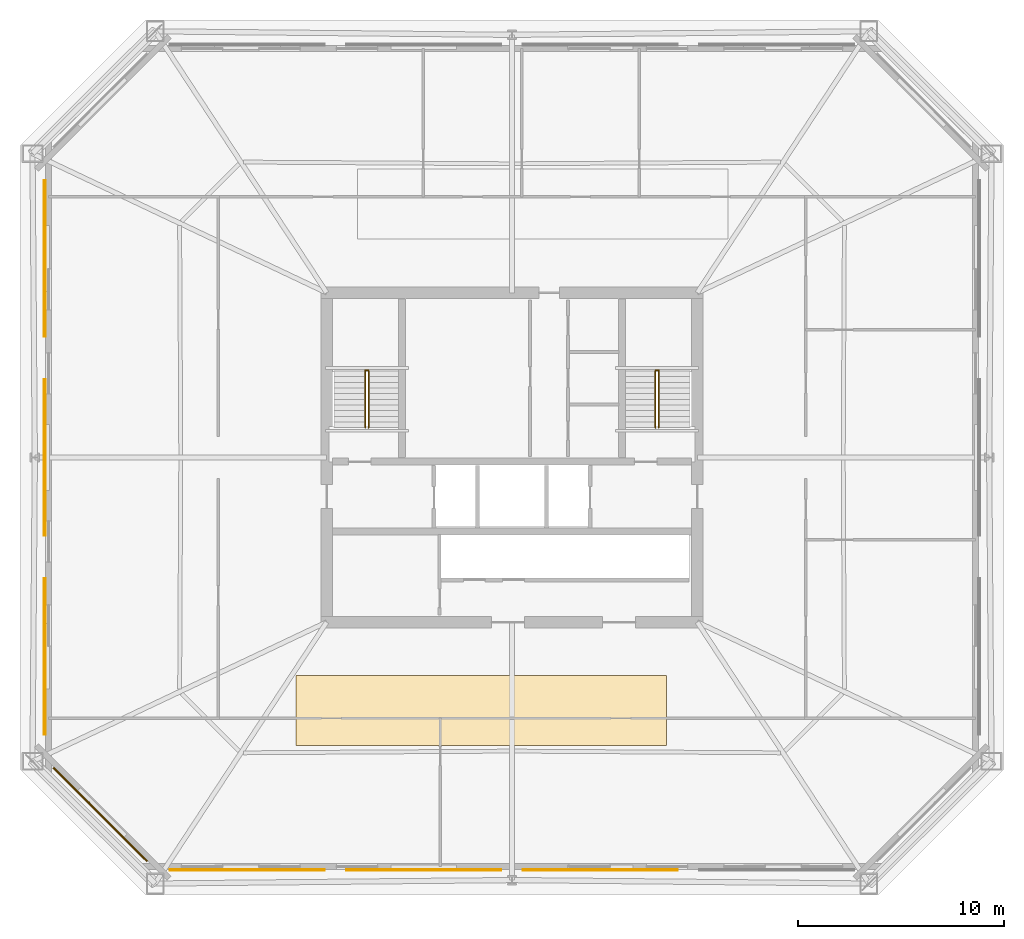
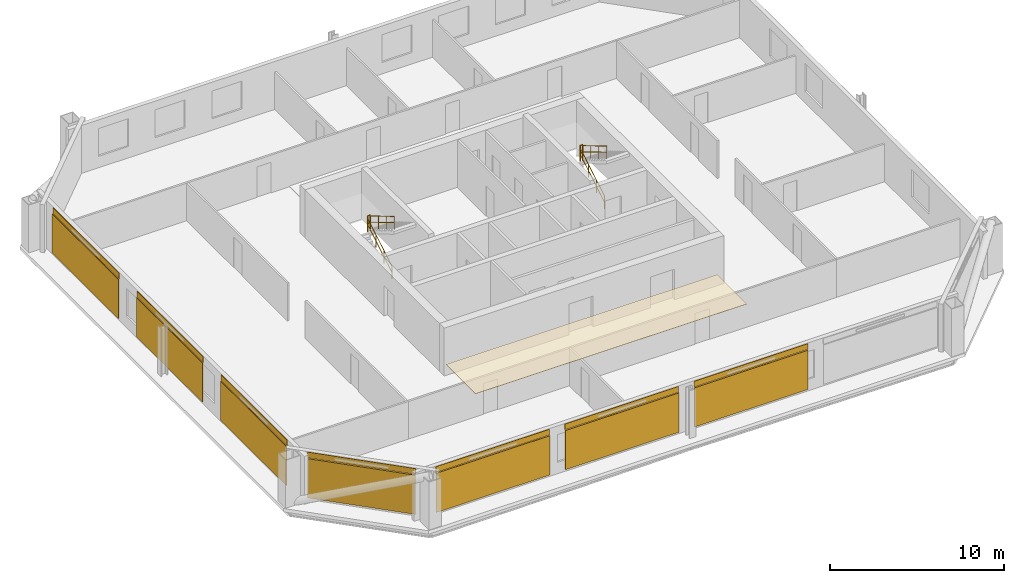
# One storey, part 5 of 6: 8 coverings, 7 shading devices, 6 railings.
"""IFC4 building model written with IfcOpenShell, lengths in metres."""

from ifc_helpers import new_model, si_unit, direction, frame, origin, origin_2d, place, context, subcontext, project, spatial, polyline, rectangle, circle, outline, extrude, material, layer, layer_set, type_object, element, save


model = new_model("IFC4")

# Units and contexts
model_context = context("Model", 3, precision=1e-05, world=origin(), true_north=direction((0.0, 1.0)))
body_context = subcontext(model_context, "Body", "Model", "MODEL_VIEW")
ifc_project = project(units=[si_unit("LENGTHUNIT", "METRE"), si_unit("AREAUNIT", "SQUARE_METRE"), si_unit("VOLUMEUNIT", "CUBIC_METRE"), si_unit("PLANEANGLEUNIT", "RADIAN"), si_unit("MASSUNIT", "GRAM", prefix="KILO")], contexts=[model_context])

# Site, building, storey
site_placement = place(None, origin())
site = spatial("IfcSite", under=ifc_project, at=site_placement, CompositionType="ELEMENT")
building_placement = place(site_placement, origin())
building = spatial("IfcBuilding", under=site, at=building_placement, Name="Caelvoria Tower", CompositionType="ELEMENT")
storey_placement = place(building_placement, frame((0.0, 0.0, 131.199951171875)))
storey = spatial("IfcBuildingStorey", under=building, at=storey_placement, Name="L34", CompositionType="ELEMENT", Elevation=131.199951171875)

# Coverings
ifc_material_1 = material(Name="Acoustic Mineral Fibre Tile", Category="gypsum")
ifc_layer_1 = layer(ifc_material_1, 0.02490234375, Name="Acoustic Mineral Fibre Tile")
ifc_layer_set_1 = layer_set([ifc_layer_1], Name="Mineral-Fibre Acoustic Suspended Ceiling 25 - Acoustic Mineral Fibre Tile")
covering_type_1 = type_object("IfcCoveringType", Name="Mineral-Fibre Acoustic Suspended Ceiling 25", PredefinedType="CEILING", material=ifc_layer_set_1)
covering_1_placement = place(storey_placement, frame((0.0, 0.0, 2.635009765625)))
element("IfcCovering", 1, at=covering_1_placement, inside=storey, type_object=covering_type_1, Name="Suspended Acoustic Ceiling L34", PredefinedType="CEILING", context=body_context, shape_type="SweptSolid", body=[
    extrude(outline(polyline([(35.5, 18.0), (53.5, 18.0), (53.5, 21.39990234375), (35.5, 21.39990234375), (35.5, 18.0)])), origin(), (0.0, 0.0, 1.0), 0.025146484375),
])
ifc_material_2 = material(Name="Perforated Architectural Bronze Cladding Screen", Category="bronze")
ifc_layer_2 = layer(ifc_material_2, 0.0400390625, Name="Perforated Architectural Bronze Cladding Screen")
ifc_layer_set_2 = layer_set([ifc_layer_2], Name="Perforated Bronze Louvre Cladding Band 40 - Perforated Architectural Bronze Cladding Screen")
covering_type_2 = type_object("IfcCoveringType", Name="Perforated Bronze Louvre Cladding Band 40", PredefinedType="CLADDING", material=ifc_layer_set_2)
for number, where, z_axis, x_axis, name in (
    (2, (33.14501953125, 11.97802734375, 2.940185546875), (0.0, 0.0, 1.0), (1.0, 0.0, 0.0), "Perforated Bronze Screen Band L34-E0-00"),
    (3, (41.715087890625, 11.97802734375, 2.940185546875), (0.0, 0.0, 1.0), (1.0, 0.0, 0.0), "Perforated Bronze Screen Band L34-E0-01"),
    (4, (50.284912109375, 11.97802734375, 2.940185546875), (0.0, 0.0, 1.0), (1.0, 0.0, 0.0), "Perforated Bronze Screen Band L34-E0-02"),
):
    element("IfcCovering", number, at=place(storey_placement, frame(where, z_axis=z_axis, x_axis=x_axis)), inside=storey, type_object=covering_type_2, Name=name, PredefinedType="CLADDING", context=body_context, shape_type="SweptSolid", body=[
        extrude(rectangle(XDim=7.54150390625, YDim=0.0400390625, at=origin_2d()), origin(), (0.0, 0.0, 1.0), 0.39990234375),
    ])
for number, where, z_axis, x_axis, name in (
    (5, (23.327880859375, 41.659912109375, 2.940185546875), (0.0, 0.0, 1.0), (0.0, -1.0, 0.0), "Perforated Bronze Screen Band L34-E6-00"),
    (6, (23.327880859375, 32.0, 2.940185546875), (0.0, 0.0, 1.0), (0.0, -1.0, 0.0), "Perforated Bronze Screen Band L34-E6-01"),
    (7, (23.327880859375, 22.340087890625, 2.940185546875), (0.0, 0.0, 1.0), (0.0, -1.0, 0.0), "Perforated Bronze Screen Band L34-E6-02"),
):
    element("IfcCovering", number, at=place(storey_placement, frame(where, z_axis=z_axis, x_axis=x_axis)), inside=storey, type_object=covering_type_2, Name=name, PredefinedType="CLADDING", context=body_context, shape_type="SweptSolid", body=[
        extrude(rectangle(XDim=7.60009765625, YDim=0.0400390625, at=origin_2d()), origin(), (0.0, 0.0, 1.0), 0.39990234375),
    ])
covering_2_placement = place(storey_placement, frame((26.018310546875, 14.668212890625, 2.940185546875), z_axis=(0.0, 0.0, 1.0), x_axis=(0.707106781187, -0.707106781187, 0.0)))
element("IfcCovering", 8, at=covering_2_placement, inside=storey, type_object=covering_type_2, Name="Perforated Bronze Screen Band L34-E7-00", PredefinedType="CLADDING", context=body_context, shape_type="SweptSolid", body=[
    extrude(rectangle(XDim=6.429931640625, YDim=0.0400390625, at=origin_2d()), origin(), (0.0, 0.0, 1.0), 0.39990234375),
])

# Shading devices
ifc_material_3 = material(Name="Perforated Architectural Bronze Alloy Panel", Category="bronze")
ifc_layer_3 = layer(ifc_material_3, 0.044921875, Name="Perforated Architectural Bronze Alloy Panel")
ifc_layer_set_3 = layer_set([ifc_layer_3], Name="Perforated Bronze Solar Screen Panel SCREEN - Perforated Architectural Bronze Alloy Panel")
shading_device_type = type_object("IfcShadingDeviceType", Name="Perforated Bronze Solar Screen Panel SCREEN", PredefinedType="USERDEFINED", material=ifc_layer_set_3)
for number, where, z_axis, x_axis, name in (
    (9, (33.14501953125, 11.93505859375, 0.16015625), (0.0, 0.0, 1.0), (1.0, 0.0, 0.0), "Perforated Bronze Solar Screen L34-E0-00"),
    (10, (41.715087890625, 11.93505859375, 0.16015625), (0.0, 0.0, 1.0), (1.0, 0.0, 0.0), "Perforated Bronze Solar Screen L34-E0-01"),
    (11, (50.284912109375, 11.93505859375, 0.16015625), (0.0, 0.0, 1.0), (1.0, 0.0, 0.0), "Perforated Bronze Solar Screen L34-E0-02"),
):
    element("IfcShadingDevice", number, at=place(storey_placement, frame(where, z_axis=z_axis, x_axis=x_axis)), inside=storey, type_object=shading_device_type, Name=name, ObjectType="SCREEN", PredefinedType="USERDEFINED", context=body_context, shape_type="SweptSolid", body=[
        extrude(rectangle(XDim=7.54150390625, YDim=0.044921875, at=origin_2d()), origin(), (0.0, 0.0, 1.0), 2.75),
    ])
for number, where, z_axis, x_axis, name in (
    (12, (23.284912109375, 41.659912109375, 0.16015625), (0.0, 0.0, 1.0), (0.0, -1.0, 0.0), "Perforated Bronze Solar Screen L34-E6-00"),
    (13, (23.284912109375, 32.0, 0.16015625), (0.0, 0.0, 1.0), (0.0, -1.0, 0.0), "Perforated Bronze Solar Screen L34-E6-01"),
    (14, (23.284912109375, 22.340087890625, 0.16015625), (0.0, 0.0, 1.0), (0.0, -1.0, 0.0), "Perforated Bronze Solar Screen L34-E6-02"),
):
    element("IfcShadingDevice", number, at=place(storey_placement, frame(where, z_axis=z_axis, x_axis=x_axis)), inside=storey, type_object=shading_device_type, Name=name, ObjectType="SCREEN", PredefinedType="USERDEFINED", context=body_context, shape_type="SweptSolid", body=[
        extrude(rectangle(XDim=7.60009765625, YDim=0.044921875, at=origin_2d()), origin(), (0.0, 0.0, 1.0), 2.75),
    ])
shading_device_placement = place(storey_placement, frame((25.98779296875, 14.637939453125, 0.16015625), z_axis=(0.0, 0.0, 1.0), x_axis=(0.707106781187, -0.707106781187, 0.0)))
element("IfcShadingDevice", 15, at=shading_device_placement, inside=storey, type_object=shading_device_type, Name="Perforated Bronze Solar Screen L34-E7-00", ObjectType="SCREEN", PredefinedType="USERDEFINED", context=body_context, shape_type="SweptSolid", body=[
    extrude(rectangle(XDim=6.429931640625, YDim=0.044921875, at=origin_2d()), origin(), (0.0, 0.0, 1.0), 2.75),
])

# Railings
ifc_material_4 = material(Name="Brushed Stainless Steel Tube", Category="steel")
railing_type_1 = type_object("IfcRailingType", Name="Stair Tubular Stainless Handrail 920", PredefinedType="HANDRAIL", material=ifc_material_4)
railing_1_placement = place(storey_placement, frame((38.8701171875, 33.449951171875, 0.16357421875)))
element("IfcRailing", 16, at=railing_1_placement, inside=storey, type_object=railing_type_1, Name="ST-01 Flight 1 Handrail L34", PredefinedType="HANDRAIL", context=body_context, shape_type="SweptSolid", body=[
    extrude(circle(Radius=0.02392578125, at=origin_2d()), frame((0.0, 0.0, 0.89599609375), z_axis=(0.0, 0.859351957796, 0.511384603436), x_axis=(-1.0, 0.0, 0.0)), (0.0, 0.0, 1.0), 3.2001953125),
    extrude(circle(Radius=0.02392578125, at=origin_2d()), frame((0.0, 0.0, 0.4599609375), z_axis=(0.0, 0.859351957796, 0.511384603436), x_axis=(-1.0, 0.0, 0.0)), (0.0, 0.0, 1.0), 3.2001953125),
    extrude(circle(Radius=0.02099609375, at=origin_2d()), origin(), (0.0, 0.0, 1.0), 0.871826171875),
    extrude(circle(Radius=0.02099609375, at=origin_2d()), frame((0.0, 0.916748046875, 0.54541015625)), (0.0, 0.0, 1.0), 0.871826171875),
    extrude(circle(Radius=0.02099609375, at=origin_2d()), frame((0.0, 1.833251953125, 1.091064453125)), (0.0, 0.0, 1.0), 0.871826171875),
    extrude(circle(Radius=0.02099609375, at=origin_2d()), frame((0.0, 2.75, 1.636474609375)), (0.0, 0.0, 1.0), 0.871826171875),
])
railing_2_placement = place(storey_placement, frame((39.030029296875, 36.199951171875, 1.963623046875)))
element("IfcRailing", 17, at=railing_2_placement, inside=storey, type_object=railing_type_1, Name="ST-01 Flight 2 Handrail L34", PredefinedType="HANDRAIL", context=body_context, shape_type="SweptSolid", body=[
    extrude(circle(Radius=0.02392578125, at=origin_2d()), frame((0.0, 0.0, 0.89599609375), z_axis=(0.0, -0.859351957796, 0.511384603436), x_axis=(1.0, 0.0, 0.0)), (0.0, 0.0, 1.0), 3.2001953125),
    extrude(circle(Radius=0.02392578125, at=origin_2d()), frame((0.0, 0.0, 0.4599609375), z_axis=(0.0, -0.859351957796, 0.511384603436), x_axis=(1.0, 0.0, 0.0)), (0.0, 0.0, 1.0), 3.2001953125),
    extrude(circle(Radius=0.02099609375, at=origin_2d()), origin(), (0.0, 0.0, 1.0), 0.871826171875),
    extrude(circle(Radius=0.02099609375, at=origin_2d()), frame((0.0, -0.916748046875, 0.54541015625)), (0.0, 0.0, 1.0), 0.871826171875),
    extrude(circle(Radius=0.02099609375, at=origin_2d()), frame((0.0, -1.833251953125, 1.091064453125)), (0.0, 0.0, 1.0), 0.871826171875),
    extrude(circle(Radius=0.02099609375, at=origin_2d()), frame((0.0, -2.75, 1.636474609375)), (0.0, 0.0, 1.0), 0.871826171875),
])
railing_3_placement = place(storey_placement, frame((52.969970703125, 33.449951171875, 0.16357421875)))
element("IfcRailing", 18, at=railing_3_placement, inside=storey, type_object=railing_type_1, Name="ST-02 Flight 1 Handrail L34", PredefinedType="HANDRAIL", context=body_context, shape_type="SweptSolid", body=[
    extrude(circle(Radius=0.02392578125, at=origin_2d()), frame((0.0, 0.0, 0.89599609375), z_axis=(0.0, 0.859351957796, 0.511384603436), x_axis=(-1.0, 0.0, 0.0)), (0.0, 0.0, 1.0), 3.2001953125),
    extrude(circle(Radius=0.02392578125, at=origin_2d()), frame((0.0, 0.0, 0.4599609375), z_axis=(0.0, 0.859351957796, 0.511384603436), x_axis=(-1.0, 0.0, 0.0)), (0.0, 0.0, 1.0), 3.2001953125),
    extrude(circle(Radius=0.02099609375, at=origin_2d()), origin(), (0.0, 0.0, 1.0), 0.871826171875),
    extrude(circle(Radius=0.02099609375, at=origin_2d()), frame((0.0, 0.916748046875, 0.54541015625)), (0.0, 0.0, 1.0), 0.871826171875),
    extrude(circle(Radius=0.02099609375, at=origin_2d()), frame((0.0, 1.833251953125, 1.091064453125)), (0.0, 0.0, 1.0), 0.871826171875),
    extrude(circle(Radius=0.02099609375, at=origin_2d()), frame((0.0, 2.75, 1.636474609375)), (0.0, 0.0, 1.0), 0.871826171875),
])
railing_4_placement = place(storey_placement, frame((53.1298828125, 36.199951171875, 1.963623046875)))
element("IfcRailing", 19, at=railing_4_placement, inside=storey, type_object=railing_type_1, Name="ST-02 Flight 2 Handrail L34", PredefinedType="HANDRAIL", context=body_context, shape_type="SweptSolid", body=[
    extrude(circle(Radius=0.02392578125, at=origin_2d()), frame((0.0, 0.0, 0.89599609375), z_axis=(0.0, -0.859351957796, 0.511384603436), x_axis=(1.0, 0.0, 0.0)), (0.0, 0.0, 1.0), 3.2001953125),
    extrude(circle(Radius=0.02392578125, at=origin_2d()), frame((0.0, 0.0, 0.4599609375), z_axis=(0.0, -0.859351957796, 0.511384603436), x_axis=(1.0, 0.0, 0.0)), (0.0, 0.0, 1.0), 3.2001953125),
    extrude(circle(Radius=0.02099609375, at=origin_2d()), origin(), (0.0, 0.0, 1.0), 0.871826171875),
    extrude(circle(Radius=0.02099609375, at=origin_2d()), frame((0.0, -0.916748046875, 0.54541015625)), (0.0, 0.0, 1.0), 0.871826171875),
    extrude(circle(Radius=0.02099609375, at=origin_2d()), frame((0.0, -1.833251953125, 1.091064453125)), (0.0, 0.0, 1.0), 0.871826171875),
    extrude(circle(Radius=0.02099609375, at=origin_2d()), frame((0.0, -2.75, 1.636474609375)), (0.0, 0.0, 1.0), 0.871826171875),
])
ifc_material_5 = material(Name="Brushed Stainless Steel Guardrail", Category="steel")
railing_type_2 = type_object("IfcRailingType", Name="Stair Well and Ramp Guardrail 1120", PredefinedType="GUARDRAIL", material=ifc_material_5)
for number, where, name in (
    (20, (38.8701171875, 36.239990234375, 1.800048828125), "ST-01 Half-Landing Well Guard L34"),
    (21, (52.969970703125, 36.239990234375, 1.800048828125), "ST-02 Half-Landing Well Guard L34"),
):
    element("IfcRailing", number, at=place(storey_placement, frame(where)), inside=storey, type_object=railing_type_2, Name=name, PredefinedType="GUARDRAIL", context=body_context, shape_type="SweptSolid", body=[
        extrude(circle(Radius=0.02392578125, at=origin_2d()), frame((0.0, 0.0, 1.09619140625), z_axis=(1.0, 0.0, 0.0), x_axis=(0.0, 1.0, 0.0)), (0.0, 0.0, 1.0), 0.159912109375),
        extrude(circle(Radius=0.02392578125, at=origin_2d()), frame((0.0, 0.0, 0.56005859375), z_axis=(1.0, 0.0, 0.0), x_axis=(0.0, 1.0, 0.0)), (0.0, 0.0, 1.0), 0.159912109375),
        extrude(circle(Radius=0.02099609375, at=origin_2d()), origin(), (0.0, 0.0, 1.0), 1.072021484375),
        extrude(circle(Radius=0.02099609375, at=origin_2d()), frame((0.159912109375, 0.0, 0.0)), (0.0, 0.0, 1.0), 1.072021484375),
    ])

save(model, "model.ifc")
